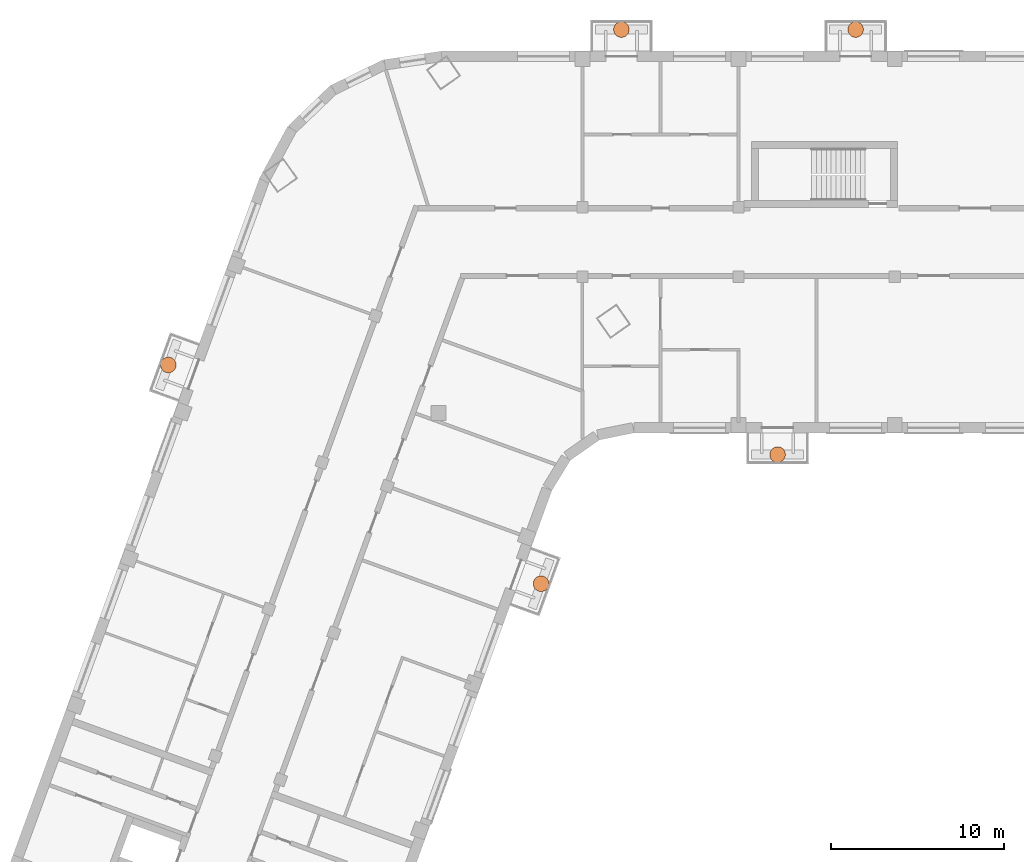
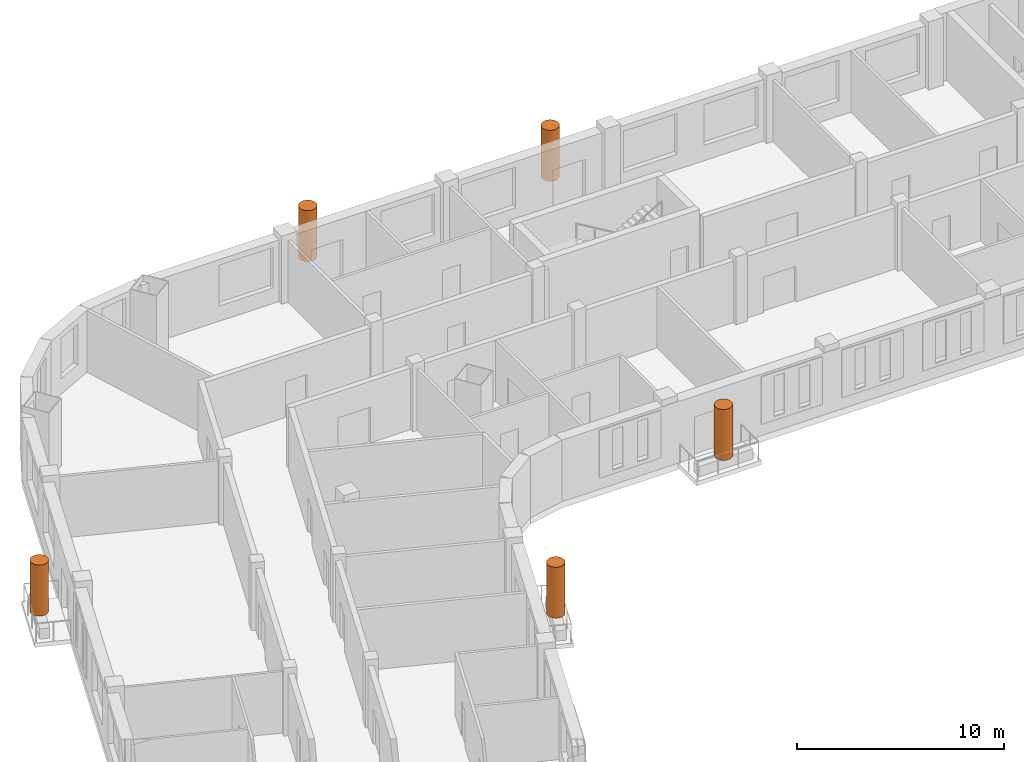
# One storey, part 12 of 12: 5 geographic elements.
"""IFC4 building model written with IfcOpenShell, lengths in metres."""

from ifc_helpers import new_model, si_unit, direction, frame, origin, origin_2d, place, context, subcontext, project, spatial, circle, extrude, element, save


model = new_model("IFC4")

# Units and contexts
model_context = context("Model", 3, precision=1e-05, world=origin(), true_north=direction((0.0, 1.0)))
body_context = subcontext(model_context, "Body", "Model", "MODEL_VIEW")
ifc_project = project(units=[si_unit("LENGTHUNIT", "METRE"), si_unit("AREAUNIT", "SQUARE_METRE"), si_unit("VOLUMEUNIT", "CUBIC_METRE"), si_unit("PLANEANGLEUNIT", "RADIAN"), si_unit("MASSUNIT", "GRAM", prefix="KILO")], contexts=[model_context])

# Site, building, storey
site_placement = place(None, origin())
site = spatial("IfcSite", under=ifc_project, at=site_placement, CompositionType="ELEMENT")
building_placement = place(site_placement, origin())
building = spatial("IfcBuilding", under=site, at=building_placement, Name="Skarvind Civic Tower", CompositionType="ELEMENT")
storey_placement = place(building_placement, frame((0.0, 0.0, 117.0)))
storey = spatial("IfcBuildingStorey", under=building, at=storey_placement, Name="L27", CompositionType="ELEMENT", Elevation=117.0)

# Geographic elements
for number, where, z_axis, x_axis, name in (
    (1, (51.867919921875, 108.305419921875, 0.60009765625), (0.0, 0.0, 1.0), (1.0, 0.0, 0.0), "TREE BALCONY TREE"),
    (2, (65.5, 115.75, 0.60009765625), (0.0, 0.0, 1.0), (1.0, 0.0, 0.0), "TREE BALCONY TREE"),
    (3, (56.5, 140.25, 0.60009765625), (0.0, 0.0, 1.0), (1.0, 0.0, 0.0), "TREE BALCONY TREE"),
    (4, (70.0, 140.25, 0.60009765625), (0.0, 0.0, 1.0), (1.0, 0.0, 0.0), "TREE BALCONY TREE"),
    (5, (30.384521484375, 120.91357421875, 0.60009765625), (0.0, 0.0, 1.0), (1.0, 0.0, 0.0), "TREE BALCONY TREE"),
):
    element("IfcGeographicElement", number, at=place(storey_placement, frame(where, z_axis=z_axis, x_axis=x_axis)), inside=storey, Name=name, ObjectType="TREE", PredefinedType="USERDEFINED", context=body_context, shape_type="SweptSolid", body=[
        extrude(circle(Radius=0.449951171875, at=origin_2d()), origin(), (0.0, 0.0, 1.0), 3.0),
    ])

save(model, "model.ifc")
